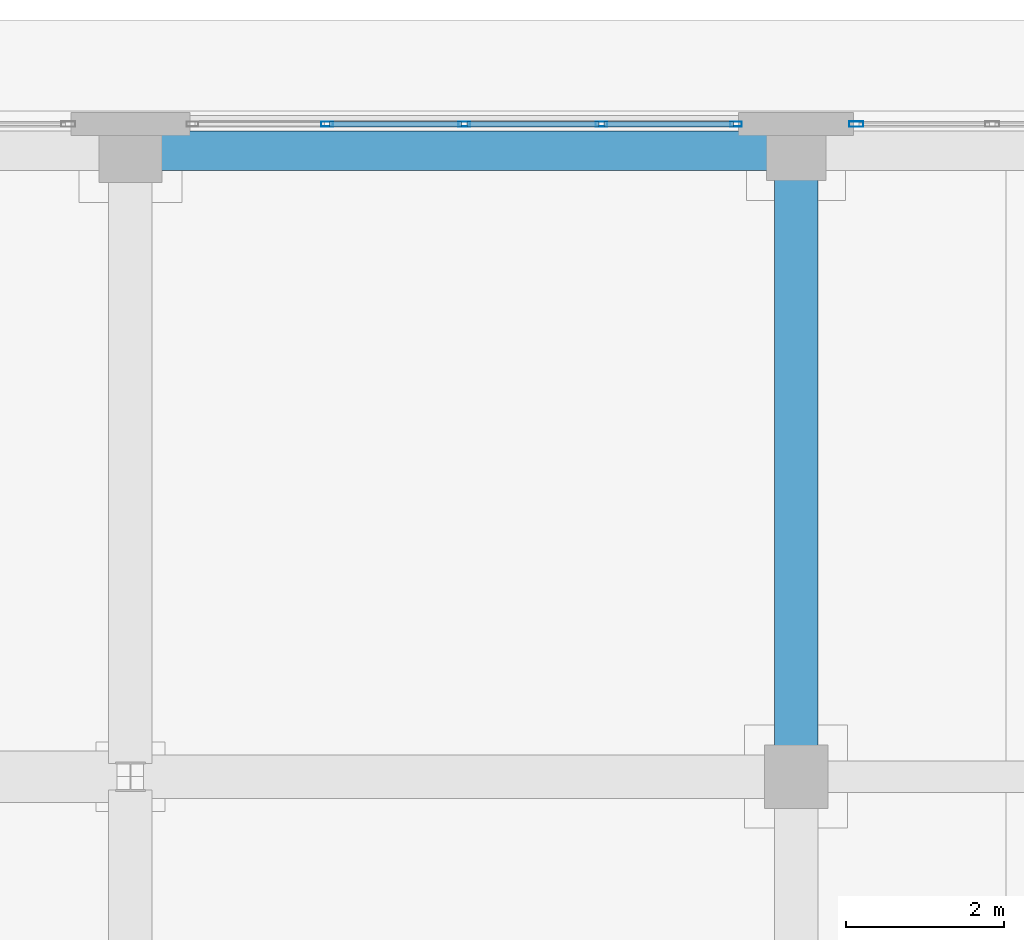
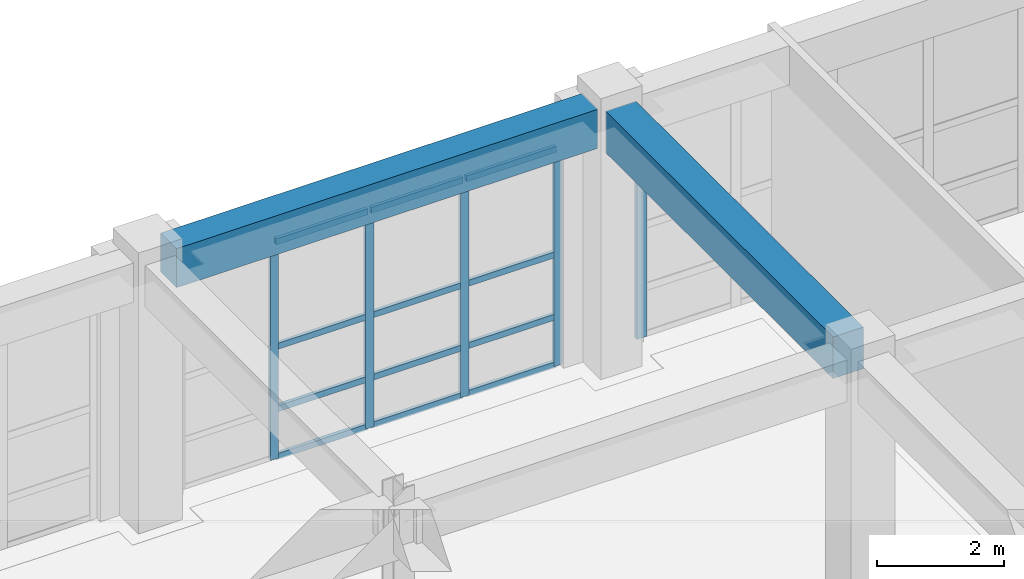
# One storey, part 104 of 148: 17 members, 2 beams, 2 elements without a shape of their own.
"""IFC4 building model written with IfcOpenShell, lengths in metres."""

from ifc_helpers import new_model, si_unit, direction, frame, origin, origin_2d, place, context, subcontext, project, spatial, rectangle, hollow_rectangle, extrude, material, layer, layer_set, material_profile, profile_set, type_object, element, aggregate, save


model = new_model("IFC4")

# Units and contexts
model_context = context("Model", 3, precision=1e-05, world=origin(), true_north=direction((0.0, 1.0)))
body_context = subcontext(model_context, "Body", "Model", "MODEL_VIEW")
ifc_project = project(units=[si_unit("LENGTHUNIT", "METRE"), si_unit("AREAUNIT", "SQUARE_METRE"), si_unit("VOLUMEUNIT", "CUBIC_METRE"), si_unit("PLANEANGLEUNIT", "RADIAN"), si_unit("MASSUNIT", "GRAM", prefix="KILO")], contexts=[model_context])

# Site, building, storey
site_placement = place(None, origin())
site = spatial("IfcSite", under=ifc_project, at=site_placement, CompositionType="ELEMENT")
building_placement = place(site_placement, origin())
building = spatial("IfcBuilding", under=site, at=building_placement, Name="Quendrovan Civic Courthouse", CompositionType="ELEMENT")
storey_placement = place(building_placement, origin())
storey = spatial("IfcBuildingStorey", under=building, at=storey_placement, Name="L01", CompositionType="ELEMENT", Elevation=0.0)

# Beams
ifc_material_1 = material(Name="Concrete C40/50", Category="concrete")
ifc_material_profile_1 = material_profile(ifc_material_1, rectangle(XDim=0.5, YDim=0.75, at=origin_2d()), Name="RC-BM-500x750")
ifc_profile_set_1 = profile_set([ifc_material_profile_1], Name="Concrete C40/50")
beam_type_1 = type_object("IfcBeamType", Name="BM-RC750", PredefinedType="SPANDREL", material=ifc_profile_set_1)
beam_1_placement = place(storey_placement, frame((134.780029296875, 109.89990234375, 4.7451171875), z_axis=(1.0, 0.0, 0.0), x_axis=(0.0, 1.0, 0.0)))
element("IfcBeam", 1, at=beam_1_placement, inside=storey, type_object=beam_type_1, Name="L01 Girder X0367", PredefinedType="SPANDREL", context=body_context, shape_type="SweptSolid", body=[
    extrude(rectangle(XDim=0.5, YDim=0.75, at=origin_2d()), origin(), (0.0, 0.0, 1.0), 7.6650390625),
])
ifc_material_profile_2 = material_profile(ifc_material_1, rectangle(XDim=0.550048828125, YDim=0.800048828125, at=origin_2d()), Name="RC-BM-550x800")
ifc_profile_set_2 = profile_set([ifc_material_profile_2], Name="Concrete C40/50")
beam_type_2 = type_object("IfcBeamType", Name="BM-RC800", PredefinedType="BEAM", material=ifc_profile_set_2)
beam_2_placement = place(storey_placement, frame((142.800048828125, 102.3798828125, 4.719970703125), z_axis=(0.0, 1.0, 0.0), x_axis=(-1.0, 0.0, 0.0)))
element("IfcBeam", 2, at=beam_2_placement, inside=storey, type_object=beam_type_2, Name="L01 Girder Y0472", PredefinedType="BEAM", context=body_context, shape_type="SweptSolid", body=[
    extrude(rectangle(XDim=0.550048828125, YDim=0.800048828125, at=origin_2d()), origin(), (0.0, 0.0, 1.0), 7.1650390625),
])

# Curtain wall, member
ifc_material_2 = material(Name="Bronze anodised aluminium and low-E glass", Category="aluminium")
ifc_layer_1 = layer(ifc_material_2, 0.179931640625, Name="Bronze anodised aluminium and low-E glass")
ifc_layer_set_1 = layer_set([ifc_layer_1], Name="Bronze anodised aluminium and low-E glass")
curtain_wall_type_1 = type_object("IfcCurtainWallType", Name="CW-U70x42", PredefinedType="USERDEFINED", material=ifc_layer_set_1)
curtain_wall_1_placement = place(storey_placement, origin())
curtain_wall_1 = element("IfcCurtainWall", 3, at=curtain_wall_1_placement, inside=storey, type_object=curtain_wall_type_1, Name="L01 Unitised Hurricane Curtain Wall CW-040", ObjectType="UNITISED CURTAIN WALL", PredefinedType="USERDEFINED")
ifc_material_3 = material(Name="Bronze anodised aluminium", Category="aluminium")
ifc_material_profile_3 = material_profile(ifc_material_3, hollow_rectangle(XDim=0.070068359375, YDim=0.179931640625, WallThickness=0.00390625, at=origin_2d()), Name="CW-MULL-70x180")
ifc_profile_set_3 = profile_set([ifc_material_profile_3], Name="Bronze anodised aluminium")
member_type_1 = type_object("IfcMemberType", Name="CW-MULL-A", PredefinedType="MULLION", material=ifc_profile_set_3)
member_1_placement = place(storey_placement, frame((143.56005859375, 110.235107421875, 0.0), z_axis=(0.0, 0.0, 1.0), x_axis=(0.0, 1.0, 0.0)))
member_1 = element("IfcMember", 4, at=member_1_placement, type_object=member_type_1, Name="CW-040 mullion 1", PredefinedType="MULLION", context=body_context, shape_type="SweptSolid", body=[
    extrude(hollow_rectangle(XDim=0.070068359375, YDim=0.179931640625, WallThickness=0.00390625, at=origin_2d()), origin(), (0.0, 0.0, 1.0), 4.199951171875),
])
aggregate(curtain_wall_1, [member_1])

# Curtain wall, members
ifc_layer_2 = layer(ifc_material_2, 0.179931640625, Name="Bronze anodised aluminium and low-E glass")
ifc_layer_set_2 = layer_set([ifc_layer_2], Name="Bronze anodised aluminium and low-E glass")
curtain_wall_type_2 = type_object("IfcCurtainWallType", Name="CW-U69x42", PredefinedType="USERDEFINED", material=ifc_layer_set_2)
curtain_wall_2_placement = place(storey_placement, origin())
curtain_wall_2 = element("IfcCurtainWall", 5, at=curtain_wall_2_placement, inside=storey, type_object=curtain_wall_type_2, Name="L01 Unitised Hurricane Curtain Wall CW-039", ObjectType="UNITISED CURTAIN WALL", PredefinedType="USERDEFINED")
ifc_material_profile_4 = material_profile(ifc_material_3, hollow_rectangle(XDim=0.06494140625, YDim=0.14990234375, WallThickness=0.00390625, at=origin_2d()), Name="CW-MULL-65x150")
ifc_profile_set_4 = profile_set([ifc_material_profile_4], Name="Bronze anodised aluminium")
member_type_2 = type_object("IfcMemberType", Name="CW-MULL-B", PredefinedType="MULLION", material=ifc_profile_set_4)
member_2_placement = place(storey_placement, frame((136.88134765625, 110.235107421875, 0.0), z_axis=(0.0, 0.0, 1.0), x_axis=(0.0, 1.0, 0.0)))
member_2 = element("IfcMember", 6, at=member_2_placement, type_object=member_type_2, Name="CW-039 mullion 2", PredefinedType="MULLION", context=body_context, shape_type="SweptSolid", body=[
    extrude(hollow_rectangle(XDim=0.06494140625, YDim=0.14990234375, WallThickness=0.00390625, at=origin_2d()), origin(), (0.0, 0.0, 1.0), 4.199951171875),
])
member_3_placement = place(storey_placement, frame((138.612548828125, 110.235107421875, 0.0), z_axis=(0.0, 0.0, 1.0), x_axis=(0.0, 1.0, 0.0)))
member_3 = element("IfcMember", 7, at=member_3_placement, type_object=member_type_2, Name="CW-039 mullion 3", PredefinedType="MULLION", context=body_context, shape_type="SweptSolid", body=[
    extrude(hollow_rectangle(XDim=0.06494140625, YDim=0.14990234375, WallThickness=0.00390625, at=origin_2d()), origin(), (0.0, 0.0, 1.0), 4.199951171875),
])
member_4_placement = place(storey_placement, frame((140.34375, 110.235107421875, 0.0), z_axis=(0.0, 0.0, 1.0), x_axis=(0.0, 1.0, 0.0)))
member_4 = element("IfcMember", 8, at=member_4_placement, type_object=member_type_2, Name="CW-039 mullion 4", PredefinedType="MULLION", context=body_context, shape_type="SweptSolid", body=[
    extrude(hollow_rectangle(XDim=0.06494140625, YDim=0.14990234375, WallThickness=0.00390625, at=origin_2d()), origin(), (0.0, 0.0, 1.0), 4.199951171875),
])
member_5_placement = place(storey_placement, frame((142.04248046875, 110.235107421875, 0.0), z_axis=(0.0, 0.0, 1.0), x_axis=(0.0, 1.0, 0.0)))
member_5 = element("IfcMember", 9, at=member_5_placement, type_object=member_type_2, Name="CW-039 mullion 5", PredefinedType="MULLION", context=body_context, shape_type="SweptSolid", body=[
    extrude(hollow_rectangle(XDim=0.06494140625, YDim=0.14990234375, WallThickness=0.00390625, at=origin_2d()), origin(), (0.0, 0.0, 1.0), 4.199951171875),
])
ifc_material_profile_5 = material_profile(ifc_material_3, hollow_rectangle(XDim=0.06494140625, YDim=0.114990234375, WallThickness=0.00390625, at=origin_2d()), Name="CW-TRAN-65x115")
ifc_profile_set_5 = profile_set([ifc_material_profile_5], Name="Bronze anodised aluminium")
member_type_3 = type_object("IfcMemberType", Name="CW-TRAN-B", PredefinedType="USERDEFINED", material=ifc_profile_set_5)
member_6_placement = place(storey_placement, frame((136.913818359375, 110.235107421875, 0.032470703125), z_axis=(1.0, 0.0, 0.0), x_axis=(0.0, 1.0, 0.0)))
member_6 = element("IfcMember", 10, at=member_6_placement, type_object=member_type_3, Name="CW-039 transom 2.1", ObjectType="TRANSOM", PredefinedType="USERDEFINED", context=body_context, shape_type="SweptSolid", body=[
    extrude(hollow_rectangle(XDim=0.06494140625, YDim=0.114990234375, WallThickness=0.00390625, at=origin_2d()), origin(), (0.0, 0.0, 1.0), 1.666259765625),
])
member_7_placement = place(storey_placement, frame((136.913818359375, 110.235107421875, 0.949951171875), z_axis=(1.0, 0.0, 0.0), x_axis=(0.0, 1.0, 0.0)))
member_7 = element("IfcMember", 11, at=member_7_placement, type_object=member_type_3, Name="CW-039 transom 2.2", ObjectType="TRANSOM", PredefinedType="USERDEFINED", context=body_context, shape_type="SweptSolid", body=[
    extrude(hollow_rectangle(XDim=0.06494140625, YDim=0.114990234375, WallThickness=0.00390625, at=origin_2d()), origin(), (0.0, 0.0, 1.0), 1.666259765625),
])
member_8_placement = place(storey_placement, frame((136.913818359375, 110.235107421875, 2.14990234375), z_axis=(1.0, 0.0, 0.0), x_axis=(0.0, 1.0, 0.0)))
member_8 = element("IfcMember", 12, at=member_8_placement, type_object=member_type_3, Name="CW-039 transom 2.3", ObjectType="TRANSOM", PredefinedType="USERDEFINED", context=body_context, shape_type="SweptSolid", body=[
    extrude(hollow_rectangle(XDim=0.06494140625, YDim=0.114990234375, WallThickness=0.00390625, at=origin_2d()), origin(), (0.0, 0.0, 1.0), 1.666259765625),
])
member_9_placement = place(storey_placement, frame((136.913818359375, 110.235107421875, 4.16748046875), z_axis=(1.0, 0.0, 0.0), x_axis=(0.0, 1.0, 0.0)))
member_9 = element("IfcMember", 13, at=member_9_placement, type_object=member_type_3, Name="CW-039 transom 2.4", ObjectType="TRANSOM", PredefinedType="USERDEFINED", context=body_context, shape_type="SweptSolid", body=[
    extrude(hollow_rectangle(XDim=0.06494140625, YDim=0.114990234375, WallThickness=0.00390625, at=origin_2d()), origin(), (0.0, 0.0, 1.0), 1.666259765625),
])
member_10_placement = place(storey_placement, frame((138.64501953125, 110.235107421875, 0.032470703125), z_axis=(1.0, 0.0, 0.0), x_axis=(0.0, 1.0, 0.0)))
member_10 = element("IfcMember", 14, at=member_10_placement, type_object=member_type_3, Name="CW-039 transom 3.1", ObjectType="TRANSOM", PredefinedType="USERDEFINED", context=body_context, shape_type="SweptSolid", body=[
    extrude(hollow_rectangle(XDim=0.06494140625, YDim=0.114990234375, WallThickness=0.00390625, at=origin_2d()), origin(), (0.0, 0.0, 1.0), 1.666259765625),
])
member_11_placement = place(storey_placement, frame((138.64501953125, 110.235107421875, 0.949951171875), z_axis=(1.0, 0.0, 0.0), x_axis=(0.0, 1.0, 0.0)))
member_11 = element("IfcMember", 15, at=member_11_placement, type_object=member_type_3, Name="CW-039 transom 3.2", ObjectType="TRANSOM", PredefinedType="USERDEFINED", context=body_context, shape_type="SweptSolid", body=[
    extrude(hollow_rectangle(XDim=0.06494140625, YDim=0.114990234375, WallThickness=0.00390625, at=origin_2d()), origin(), (0.0, 0.0, 1.0), 1.666259765625),
])
member_12_placement = place(storey_placement, frame((138.64501953125, 110.235107421875, 2.14990234375), z_axis=(1.0, 0.0, 0.0), x_axis=(0.0, 1.0, 0.0)))
member_12 = element("IfcMember", 16, at=member_12_placement, type_object=member_type_3, Name="CW-039 transom 3.3", ObjectType="TRANSOM", PredefinedType="USERDEFINED", context=body_context, shape_type="SweptSolid", body=[
    extrude(hollow_rectangle(XDim=0.06494140625, YDim=0.114990234375, WallThickness=0.00390625, at=origin_2d()), origin(), (0.0, 0.0, 1.0), 1.666259765625),
])
member_13_placement = place(storey_placement, frame((138.64501953125, 110.235107421875, 4.16748046875), z_axis=(1.0, 0.0, 0.0), x_axis=(0.0, 1.0, 0.0)))
member_13 = element("IfcMember", 17, at=member_13_placement, type_object=member_type_3, Name="CW-039 transom 3.4", ObjectType="TRANSOM", PredefinedType="USERDEFINED", context=body_context, shape_type="SweptSolid", body=[
    extrude(hollow_rectangle(XDim=0.06494140625, YDim=0.114990234375, WallThickness=0.00390625, at=origin_2d()), origin(), (0.0, 0.0, 1.0), 1.666259765625),
])
member_14_placement = place(storey_placement, frame((140.376220703125, 110.235107421875, 0.032470703125), z_axis=(1.0, 0.0, 0.0), x_axis=(0.0, 1.0, 0.0)))
member_14 = element("IfcMember", 18, at=member_14_placement, type_object=member_type_3, Name="CW-039 transom 4.1", ObjectType="TRANSOM", PredefinedType="USERDEFINED", context=body_context, shape_type="SweptSolid", body=[
    extrude(hollow_rectangle(XDim=0.06494140625, YDim=0.114990234375, WallThickness=0.00390625, at=origin_2d()), origin(), (0.0, 0.0, 1.0), 1.6337890625),
])
member_15_placement = place(storey_placement, frame((140.376220703125, 110.235107421875, 0.949951171875), z_axis=(1.0, 0.0, 0.0), x_axis=(0.0, 1.0, 0.0)))
member_15 = element("IfcMember", 19, at=member_15_placement, type_object=member_type_3, Name="CW-039 transom 4.2", ObjectType="TRANSOM", PredefinedType="USERDEFINED", context=body_context, shape_type="SweptSolid", body=[
    extrude(hollow_rectangle(XDim=0.06494140625, YDim=0.114990234375, WallThickness=0.00390625, at=origin_2d()), origin(), (0.0, 0.0, 1.0), 1.6337890625),
])
member_16_placement = place(storey_placement, frame((140.376220703125, 110.235107421875, 2.14990234375), z_axis=(1.0, 0.0, 0.0), x_axis=(0.0, 1.0, 0.0)))
member_16 = element("IfcMember", 20, at=member_16_placement, type_object=member_type_3, Name="CW-039 transom 4.3", ObjectType="TRANSOM", PredefinedType="USERDEFINED", context=body_context, shape_type="SweptSolid", body=[
    extrude(hollow_rectangle(XDim=0.06494140625, YDim=0.114990234375, WallThickness=0.00390625, at=origin_2d()), origin(), (0.0, 0.0, 1.0), 1.6337890625),
])
member_17_placement = place(storey_placement, frame((140.376220703125, 110.235107421875, 4.16748046875), z_axis=(1.0, 0.0, 0.0), x_axis=(0.0, 1.0, 0.0)))
member_17 = element("IfcMember", 21, at=member_17_placement, type_object=member_type_3, Name="CW-039 transom 4.4", ObjectType="TRANSOM", PredefinedType="USERDEFINED", context=body_context, shape_type="SweptSolid", body=[
    extrude(hollow_rectangle(XDim=0.06494140625, YDim=0.114990234375, WallThickness=0.00390625, at=origin_2d()), origin(), (0.0, 0.0, 1.0), 1.6337890625),
])
aggregate(curtain_wall_2, [member_2, member_3, member_4, member_5, member_6, member_7, member_8, member_9, member_10, member_11, member_12, member_13, member_14, member_15, member_16, member_17])

save(model, "model.ifc")
